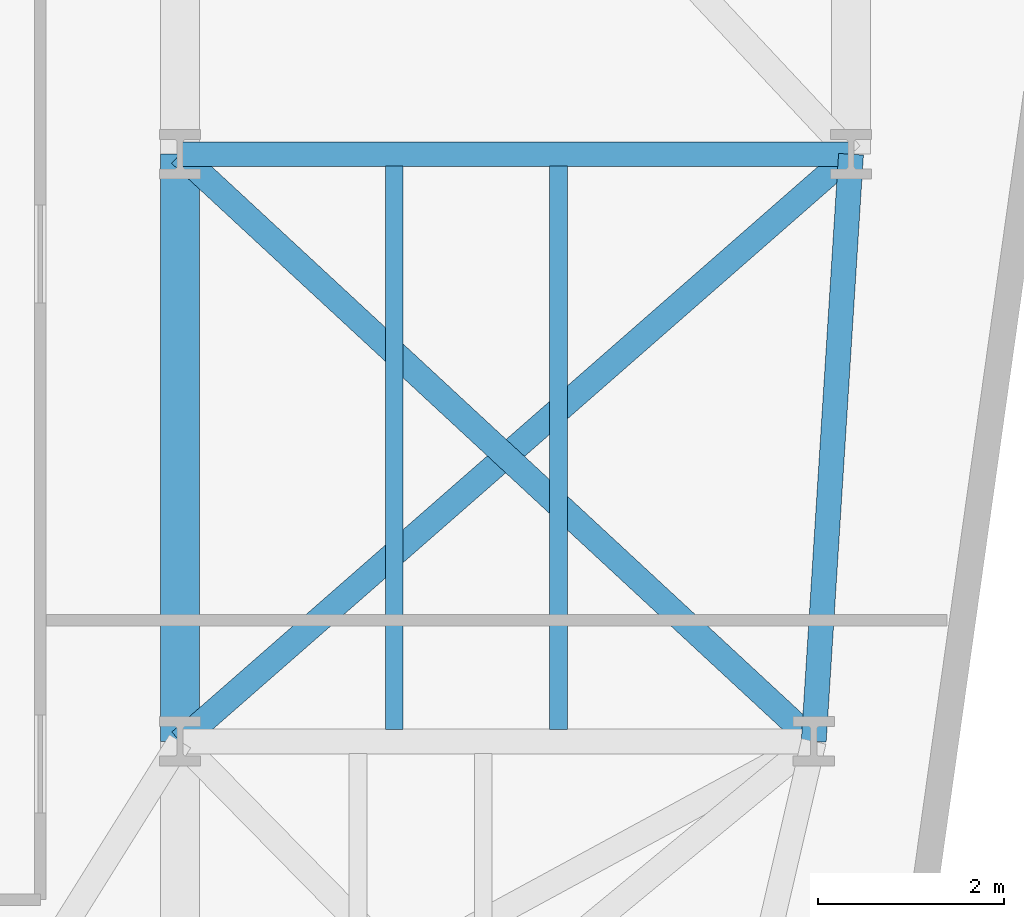
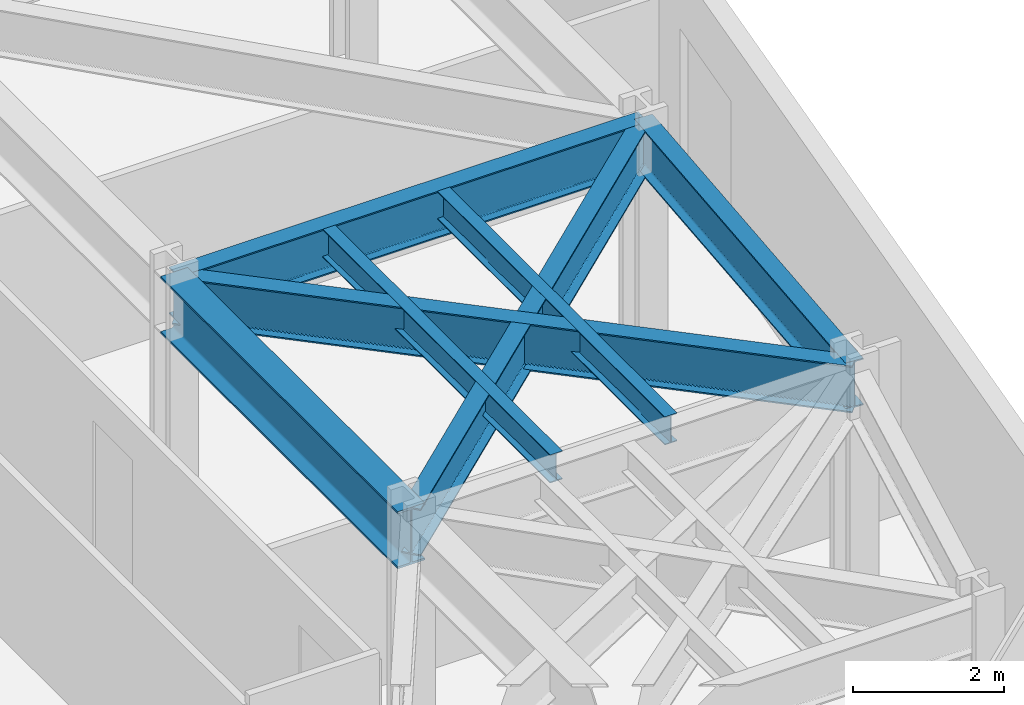
# One storey, part 14 of 24: 7 beams.
"""IFC4 building model written with IfcOpenShell, lengths in metres."""

from ifc_helpers import new_model, si_unit, direction, frame, origin, origin_2d, place, context, subcontext, project, spatial, i_section, extrude, material, material_profile, profile_set, type_object, element, save


model = new_model("IFC4")

# Units and contexts
model_context = context("Model", 3, precision=1e-05, world=origin(), true_north=direction((0.0, 1.0)))
body_context = subcontext(model_context, "Body", "Model", "MODEL_VIEW")
ifc_project = project(units=[si_unit("LENGTHUNIT", "METRE"), si_unit("AREAUNIT", "SQUARE_METRE"), si_unit("VOLUMEUNIT", "CUBIC_METRE"), si_unit("PLANEANGLEUNIT", "RADIAN"), si_unit("MASSUNIT", "GRAM", prefix="KILO")], contexts=[model_context])

# Site, building, storey
site_placement = place(None, origin())
site = spatial("IfcSite", under=ifc_project, at=site_placement, CompositionType="ELEMENT")
building_placement = place(site_placement, origin())
building = spatial("IfcBuilding", under=site, at=building_placement, Name="Kravanh Interchange Tower", CompositionType="ELEMENT")
storey_placement = place(building_placement, frame((0.0, 0.0, 53.5)))
storey = spatial("IfcBuildingStorey", under=building, at=storey_placement, Name="L12", CompositionType="ELEMENT", Elevation=53.5)

# Beams
ifc_material_1 = material(Name="Structural Steel S355", Category="steel")
ifc_material_profile_1 = material_profile(ifc_material_1, i_section(OverallWidth=0.41796875, OverallDepth=0.927001953125, WebThickness=0.019287109375, FlangeThickness=0.031982421875, FilletRadius=0.028076171875, at=origin_2d()), Name="W36X231")
ifc_profile_set_1 = profile_set([ifc_material_profile_1], Name="Structural Steel S355")
beam_type_1 = type_object("IfcBeamType", Name="Floor Beam W36X231 Structural Steel S355", PredefinedType="BEAM", material=ifc_profile_set_1)
beam_1_placement = place(storey_placement, frame((56.0, 14.5, 3.276611328125), z_axis=(0.0, -1.0, 0.0), x_axis=(1.0, 0.0, 0.0)))
element("IfcBeam", 1, at=beam_1_placement, inside=storey, type_object=beam_type_1, Name="L12 Primary Floor Girder 42", PredefinedType="BEAM", context=body_context, shape_type="SweptSolid", body=[
    extrude(i_section(OverallWidth=0.41796875, OverallDepth=0.927001953125, WebThickness=0.019287109375, FlangeThickness=0.031982421875, FilletRadius=0.028076171875, at=origin_2d()), origin(), (0.0, 0.0, 1.0), 6.300048828125),
])
ifc_material_2 = material(Name="Structural Steel S355", Category="steel")
ifc_material_profile_2 = material_profile(ifc_material_2, i_section(OverallWidth=0.18994140625, OverallDepth=0.45703125, WebThickness=0.009033203125, FlangeThickness=0.014404296875, FilletRadius=0.01806640625, at=origin_2d()), Name="W18X50")
ifc_profile_set_2 = profile_set([ifc_material_profile_2], Name="Structural Steel S355")
beam_type_2 = type_object("IfcBeamType", Name="Floor Joist W18X50 Structural Steel S355", PredefinedType="JOIST", material=ifc_profile_set_2)
for number, where, z_axis, x_axis, name in (
    (2, (58.300048828125, 8.32861328125, 3.511474609375), (0.0, 1.0, 0.0), (-1.0, 0.0, 0.0), "L12 Secondary Floor Joist 11"),
    (3, (60.06005859375, 8.32861328125, 3.511474609375), (0.0, 1.0, 0.0), (-1.0, 0.0, 0.0), "L12 Secondary Floor Joist 12"),
):
    element("IfcBeam", number, at=place(storey_placement, frame(where, z_axis=z_axis, x_axis=x_axis)), inside=storey, type_object=beam_type_2, Name=name, PredefinedType="JOIST", context=body_context, shape_type="SweptSolid", body=[
        extrude(i_section(OverallWidth=0.18994140625, OverallDepth=0.45703125, WebThickness=0.009033203125, FlangeThickness=0.014404296875, FilletRadius=0.01806640625, at=origin_2d()), origin(), (0.0, 0.0, 1.0), 6.04296875),
    ])
ifc_material_3 = material(Name="Structural Steel S355", Category="steel")
ifc_material_profile_3 = material_profile(ifc_material_3, i_section(OverallWidth=0.26708984375, OverallDepth=0.761962890625, WebThickness=0.014404296875, FlangeThickness=0.021484375, FilletRadius=0.02490234375, at=origin_2d()), Name="W30X116")
ifc_profile_set_3 = profile_set([ifc_material_profile_3], Name="Structural Steel S355")
beam_type_3 = type_object("IfcBeamType", Name="Floor Spandrel W30X116 Structural Steel S355", PredefinedType="SPANDREL", material=ifc_profile_set_3)
beam_2_placement = place(storey_placement, frame((56.0, 14.5, 3.35888671875), z_axis=(1.0, 0.0, 0.0), x_axis=(0.0, 1.0, 0.0)))
element("IfcBeam", 4, at=beam_2_placement, inside=storey, type_object=beam_type_3, Name="L12 Perimeter Spandrel 43", PredefinedType="SPANDREL", context=body_context, shape_type="SweptSolid", body=[
    extrude(i_section(OverallWidth=0.26708984375, OverallDepth=0.761962890625, WebThickness=0.014404296875, FlangeThickness=0.021484375, FilletRadius=0.02490234375, at=origin_2d()), origin(), (0.0, 0.0, 1.0), 7.199951171875),
])
beam_3_placement = place(storey_placement, frame((56.0, 14.5, 3.35888671875), z_axis=(0.733561267923, -0.679623326706, 0.0), x_axis=(0.679623326706, 0.733561267923, 0.0)))
element("IfcBeam", 5, at=beam_3_placement, inside=storey, type_object=beam_type_3, Name="L12 Perimeter Spandrel 45", PredefinedType="SPANDREL", context=body_context, shape_type="SweptSolid", body=[
    extrude(i_section(OverallWidth=0.26708984375, OverallDepth=0.761962890625, WebThickness=0.014404296875, FlangeThickness=0.021484375, FilletRadius=0.02490234375, at=origin_2d()), origin(), (0.0, 0.0, 1.0), 9.27001953125),
])
beam_4_placement = place(storey_placement, frame((63.199951171875, 14.5, 3.35888671875), z_axis=(-0.063348576418, -0.99799146182, 0.0), x_axis=(0.99799146182, -0.063348576418, 0.0)))
element("IfcBeam", 6, at=beam_4_placement, inside=storey, type_object=beam_type_3, Name="L12 Perimeter Spandrel 46", PredefinedType="SPANDREL", context=body_context, shape_type="SweptSolid", body=[
    extrude(i_section(OverallWidth=0.26708984375, OverallDepth=0.761962890625, WebThickness=0.014404296875, FlangeThickness=0.021484375, FilletRadius=0.02490234375, at=origin_2d()), origin(), (0.0, 0.0, 1.0), 6.312744140625),
])
beam_5_placement = place(storey_placement, frame((63.199951171875, 14.5, 3.35888671875), z_axis=(-0.752571952274, -0.658510027752, 0.0), x_axis=(0.658510027752, -0.752571952274, 0.0)))
element("IfcBeam", 7, at=beam_5_placement, inside=storey, type_object=beam_type_3, Name="L12 Perimeter Spandrel 48", PredefinedType="SPANDREL", context=body_context, shape_type="SweptSolid", body=[
    extrude(i_section(OverallWidth=0.26708984375, OverallDepth=0.761962890625, WebThickness=0.014404296875, FlangeThickness=0.021484375, FilletRadius=0.02490234375, at=origin_2d()), origin(), (0.0, 0.0, 1.0), 9.567138671875),
])

save(model, "model.ifc")
